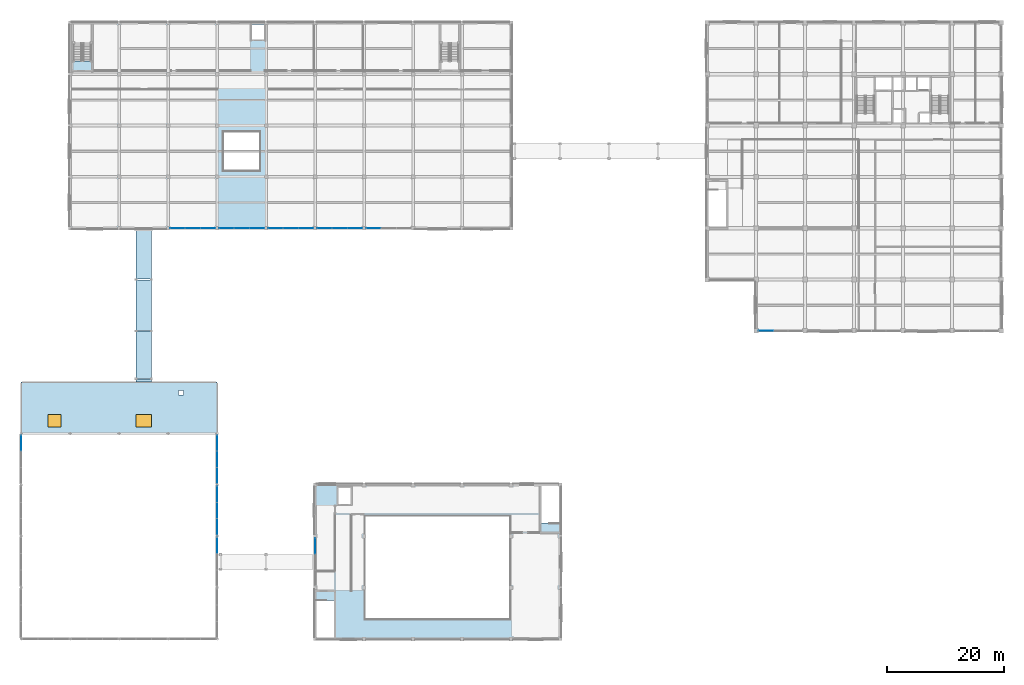
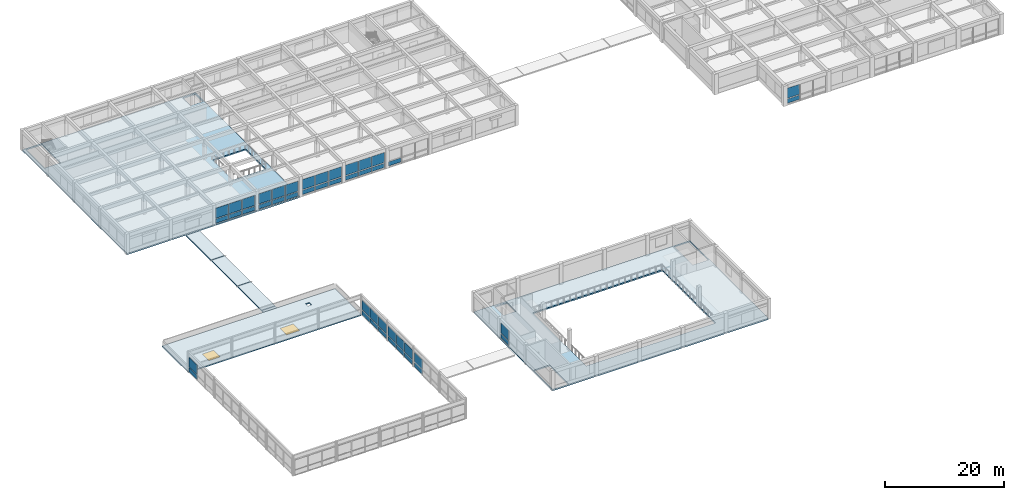
# One storey, part 26 of 46: 45 plates, 7 slabs, 2 windows, 2 openings, 11 elements without a shape of their own.
"""IFC4 building model written with IfcOpenShell, lengths in metres."""

from ifc_helpers import new_model, si_unit, direction, frame, origin, origin_2d, place, context, subcontext, project, spatial, polyline, rectangle, outline, extrude, material, layer, layer_set, type_object, element, fill, aggregate, save


model = new_model("IFC4")

# Units and contexts
model_context = context("Model", 3, precision=1e-05, world=origin(), true_north=direction((0.0, 1.0)))
body_context = subcontext(model_context, "Body", "Model", "MODEL_VIEW")
ifc_project = project(units=[si_unit("LENGTHUNIT", "METRE"), si_unit("AREAUNIT", "SQUARE_METRE"), si_unit("VOLUMEUNIT", "CUBIC_METRE"), si_unit("PLANEANGLEUNIT", "RADIAN"), si_unit("MASSUNIT", "GRAM", prefix="KILO")], contexts=[model_context])

# Site, building, storey
site_placement = place(None, origin())
site = spatial("IfcSite", under=ifc_project, at=site_placement, CompositionType="ELEMENT")
building_placement = place(site_placement, origin())
building = spatial("IfcBuilding", under=site, at=building_placement, Name="Kemercrest Conservatory and Botanical Centre", CompositionType="ELEMENT")
storey_placement = place(building_placement, frame((0.0, 0.0, 9.0)))
storey = spatial("IfcBuildingStorey", under=building, at=storey_placement, Name="L02", CompositionType="ELEMENT", Elevation=9.0)

# Curtain wall, plates
ifc_material_1 = material(Name="Thermally broken aluminium and triple low-e glazing", Category="aluminium")
curtain_wall_type_1 = type_object("IfcCurtainWallType", Name="CW-30", PredefinedType="USERDEFINED", material=ifc_material_1)
curtain_wall_1_placement = place(storey_placement, origin())
curtain_wall_1 = element("IfcCurtainWall", 1, at=curtain_wall_1_placement, inside=storey, type_object=curtain_wall_type_1, Name="Unitised curtain wall CW-30 (CW:L02:V2-029)", ObjectType="UNITISED CURTAIN WALL", PredefinedType="USERDEFINED")
ifc_material_2 = material(Name="Triple low-e argon insulated glazing unit", Category="glass")
ifc_layer_1 = layer(ifc_material_2, 0.035888671875)
ifc_layer_set_1 = layer_set([ifc_layer_1], Name="Triple low-e argon insulated glazing unit")
plate_type_1 = type_object("IfcPlateType", Name="CW-PNL036", PredefinedType="CURTAIN_PANEL", material=ifc_layer_set_1)
plate_1_placement = place(storey_placement, frame((58.39990234375, 32.720458984375, 0.179931640625), z_axis=(0.0, 0.0, 1.0), x_axis=(0.0, -1.0, 0.0)))
plate_1 = element("IfcPlate", 2, at=plate_1_placement, type_object=plate_type_1, Name="CW-30 panel 1.1", PredefinedType="CURTAIN_PANEL", context=body_context, shape_type="SweptSolid", body=[
    extrude(rectangle(XDim=2.63916015625, YDim=0.035888671875, at=origin_2d()), origin(), (0.0, 0.0, 1.0), 0.85009765625),
])
plate_2_placement = place(storey_placement, frame((58.39990234375, 32.720458984375, 1.2099609375), z_axis=(0.0, 0.0, 1.0), x_axis=(0.0, -1.0, 0.0)))
plate_2 = element("IfcPlate", 3, at=plate_2_placement, type_object=plate_type_1, Name="CW-30 panel 1.2", PredefinedType="CURTAIN_PANEL", context=body_context, shape_type="SweptSolid", body=[
    extrude(rectangle(XDim=2.63916015625, YDim=0.035888671875, at=origin_2d()), origin(), (0.0, 0.0, 1.0), 2.06494140625),
])
aggregate(curtain_wall_1, [plate_1, plate_2])

curtain_wall_type_2 = type_object("IfcCurtainWallType", Name="CW-08", PredefinedType="USERDEFINED", material=ifc_material_1)
curtain_wall_2_placement = place(storey_placement, origin())
curtain_wall_2 = element("IfcCurtainWall", 4, at=curtain_wall_2_placement, inside=storey, type_object=curtain_wall_type_2, Name="Unitised curtain wall CW-08 (CW:L02:V3-037)", ObjectType="UNITISED CURTAIN WALL", PredefinedType="USERDEFINED")
plate_3_placement = place(storey_placement, frame((34.81298828125, 87.199951171875, 0.179931640625), z_axis=(0.0, 0.0, 1.0), x_axis=(1.0, 0.0, 0.0)))
plate_3 = element("IfcPlate", 5, at=plate_3_placement, type_object=plate_type_1, Name="CW-08 panel 1.1", PredefinedType="CURTAIN_PANEL", context=body_context, shape_type="SweptSolid", body=[
    extrude(rectangle(XDim=2.505859375, YDim=0.035888671875, at=origin_2d()), origin(), (0.0, 0.0, 1.0), 0.85009765625),
])
plate_4_placement = place(storey_placement, frame((34.81298828125, 87.199951171875, 1.2099609375), z_axis=(0.0, 0.0, 1.0), x_axis=(1.0, 0.0, 0.0)))
plate_4 = element("IfcPlate", 6, at=plate_4_placement, type_object=plate_type_1, Name="CW-08 panel 1.2", PredefinedType="CURTAIN_PANEL", context=body_context, shape_type="SweptSolid", body=[
    extrude(rectangle(XDim=2.505859375, YDim=0.035888671875, at=origin_2d()), origin(), (0.0, 0.0, 1.0), 2.06494140625),
])
plate_5_placement = place(storey_placement, frame((37.39990234375, 87.199951171875, 0.179931640625), z_axis=(0.0, 0.0, 1.0), x_axis=(1.0, 0.0, 0.0)))
plate_5 = element("IfcPlate", 7, at=plate_5_placement, type_object=plate_type_1, Name="CW-08 panel 2.1", PredefinedType="CURTAIN_PANEL", context=body_context, shape_type="SweptSolid", body=[
    extrude(rectangle(XDim=2.538330078125, YDim=0.035888671875, at=origin_2d()), origin(), (0.0, 0.0, 1.0), 0.85009765625),
])
plate_6_placement = place(storey_placement, frame((37.39990234375, 87.199951171875, 1.2099609375), z_axis=(0.0, 0.0, 1.0), x_axis=(1.0, 0.0, 0.0)))
plate_6 = element("IfcPlate", 8, at=plate_6_placement, type_object=plate_type_1, Name="CW-08 panel 2.2", PredefinedType="CURTAIN_PANEL", context=body_context, shape_type="SweptSolid", body=[
    extrude(rectangle(XDim=2.538330078125, YDim=0.035888671875, at=origin_2d()), origin(), (0.0, 0.0, 1.0), 2.06494140625),
])
plate_7_placement = place(storey_placement, frame((39.987060546875, 87.199951171875, 0.179931640625), z_axis=(0.0, 0.0, 1.0), x_axis=(1.0, 0.0, 0.0)))
plate_7 = element("IfcPlate", 9, at=plate_7_placement, type_object=plate_type_1, Name="CW-08 panel 3.1", PredefinedType="CURTAIN_PANEL", context=body_context, shape_type="SweptSolid", body=[
    extrude(rectangle(XDim=2.505859375, YDim=0.035888671875, at=origin_2d()), origin(), (0.0, 0.0, 1.0), 0.85009765625),
])
plate_8_placement = place(storey_placement, frame((39.987060546875, 87.199951171875, 1.2099609375), z_axis=(0.0, 0.0, 1.0), x_axis=(1.0, 0.0, 0.0)))
plate_8 = element("IfcPlate", 10, at=plate_8_placement, type_object=plate_type_1, Name="CW-08 panel 3.2", PredefinedType="CURTAIN_PANEL", context=body_context, shape_type="SweptSolid", body=[
    extrude(rectangle(XDim=2.505859375, YDim=0.035888671875, at=origin_2d()), origin(), (0.0, 0.0, 1.0), 2.06494140625),
])
aggregate(curtain_wall_2, [plate_3, plate_4, plate_5, plate_6, plate_7, plate_8])

curtain_wall_type_3 = type_object("IfcCurtainWallType", Name="CW-09", PredefinedType="USERDEFINED", material=ifc_material_1)
curtain_wall_3_placement = place(storey_placement, origin())
curtain_wall_3 = element("IfcCurtainWall", 11, at=curtain_wall_3_placement, inside=storey, type_object=curtain_wall_type_3, Name="Unitised curtain wall CW-09 (CW:L02:V3-038)", ObjectType="UNITISED CURTAIN WALL", PredefinedType="USERDEFINED")
plate_9_placement = place(storey_placement, frame((43.212890625, 87.199951171875, 0.179931640625), z_axis=(0.0, 0.0, 1.0), x_axis=(1.0, 0.0, 0.0)))
plate_9 = element("IfcPlate", 12, at=plate_9_placement, type_object=plate_type_1, Name="CW-09 panel 1.1", PredefinedType="CURTAIN_PANEL", context=body_context, shape_type="SweptSolid", body=[
    extrude(rectangle(XDim=2.505859375, YDim=0.035888671875, at=origin_2d()), origin(), (0.0, 0.0, 1.0), 0.85009765625),
])
plate_10_placement = place(storey_placement, frame((43.212890625, 87.199951171875, 1.2099609375), z_axis=(0.0, 0.0, 1.0), x_axis=(1.0, 0.0, 0.0)))
plate_10 = element("IfcPlate", 13, at=plate_10_placement, type_object=plate_type_1, Name="CW-09 panel 1.2", PredefinedType="CURTAIN_PANEL", context=body_context, shape_type="SweptSolid", body=[
    extrude(rectangle(XDim=2.505859375, YDim=0.035888671875, at=origin_2d()), origin(), (0.0, 0.0, 1.0), 2.06494140625),
])
plate_11_placement = place(storey_placement, frame((45.800048828125, 87.199951171875, 0.179931640625), z_axis=(0.0, 0.0, 1.0), x_axis=(1.0, 0.0, 0.0)))
plate_11 = element("IfcPlate", 14, at=plate_11_placement, type_object=plate_type_1, Name="CW-09 panel 2.1", PredefinedType="CURTAIN_PANEL", context=body_context, shape_type="SweptSolid", body=[
    extrude(rectangle(XDim=2.538330078125, YDim=0.035888671875, at=origin_2d()), origin(), (0.0, 0.0, 1.0), 0.85009765625),
])
plate_12_placement = place(storey_placement, frame((45.800048828125, 87.199951171875, 1.2099609375), z_axis=(0.0, 0.0, 1.0), x_axis=(1.0, 0.0, 0.0)))
plate_12 = element("IfcPlate", 15, at=plate_12_placement, type_object=plate_type_1, Name="CW-09 panel 2.2", PredefinedType="CURTAIN_PANEL", context=body_context, shape_type="SweptSolid", body=[
    extrude(rectangle(XDim=2.538330078125, YDim=0.035888671875, at=origin_2d()), origin(), (0.0, 0.0, 1.0), 2.06494140625),
])
plate_13_placement = place(storey_placement, frame((48.386962890625, 87.199951171875, 0.179931640625), z_axis=(0.0, 0.0, 1.0), x_axis=(1.0, 0.0, 0.0)))
plate_13 = element("IfcPlate", 16, at=plate_13_placement, type_object=plate_type_1, Name="CW-09 panel 3.1", PredefinedType="CURTAIN_PANEL", context=body_context, shape_type="SweptSolid", body=[
    extrude(rectangle(XDim=2.505859375, YDim=0.035888671875, at=origin_2d()), origin(), (0.0, 0.0, 1.0), 0.85009765625),
])
plate_14_placement = place(storey_placement, frame((48.386962890625, 87.199951171875, 1.2099609375), z_axis=(0.0, 0.0, 1.0), x_axis=(1.0, 0.0, 0.0)))
plate_14 = element("IfcPlate", 17, at=plate_14_placement, type_object=plate_type_1, Name="CW-09 panel 3.2", PredefinedType="CURTAIN_PANEL", context=body_context, shape_type="SweptSolid", body=[
    extrude(rectangle(XDim=2.505859375, YDim=0.035888671875, at=origin_2d()), origin(), (0.0, 0.0, 1.0), 2.06494140625),
])
aggregate(curtain_wall_3, [plate_9, plate_10, plate_11, plate_12, plate_13, plate_14])

curtain_wall_type_4 = type_object("IfcCurtainWallType", Name="CW-10", PredefinedType="USERDEFINED", material=ifc_material_1)
curtain_wall_4_placement = place(storey_placement, origin())
curtain_wall_4 = element("IfcCurtainWall", 18, at=curtain_wall_4_placement, inside=storey, type_object=curtain_wall_type_4, Name="Unitised curtain wall CW-10 (CW:L02:V3-039)", ObjectType="UNITISED CURTAIN WALL", PredefinedType="USERDEFINED")
plate_15_placement = place(storey_placement, frame((51.613037109375, 87.199951171875, 0.179931640625), z_axis=(0.0, 0.0, 1.0), x_axis=(1.0, 0.0, 0.0)))
plate_15 = element("IfcPlate", 19, at=plate_15_placement, type_object=plate_type_1, Name="CW-10 panel 1.1", PredefinedType="CURTAIN_PANEL", context=body_context, shape_type="SweptSolid", body=[
    extrude(rectangle(XDim=2.505859375, YDim=0.035888671875, at=origin_2d()), origin(), (0.0, 0.0, 1.0), 0.85009765625),
])
plate_16_placement = place(storey_placement, frame((51.613037109375, 87.199951171875, 1.2099609375), z_axis=(0.0, 0.0, 1.0), x_axis=(1.0, 0.0, 0.0)))
plate_16 = element("IfcPlate", 20, at=plate_16_placement, type_object=plate_type_1, Name="CW-10 panel 1.2", PredefinedType="CURTAIN_PANEL", context=body_context, shape_type="SweptSolid", body=[
    extrude(rectangle(XDim=2.505859375, YDim=0.035888671875, at=origin_2d()), origin(), (0.0, 0.0, 1.0), 2.06494140625),
])
plate_17_placement = place(storey_placement, frame((54.199951171875, 87.199951171875, 0.179931640625), z_axis=(0.0, 0.0, 1.0), x_axis=(1.0, 0.0, 0.0)))
plate_17 = element("IfcPlate", 21, at=plate_17_placement, type_object=plate_type_1, Name="CW-10 panel 2.1", PredefinedType="CURTAIN_PANEL", context=body_context, shape_type="SweptSolid", body=[
    extrude(rectangle(XDim=2.538330078125, YDim=0.035888671875, at=origin_2d()), origin(), (0.0, 0.0, 1.0), 0.85009765625),
])
plate_18_placement = place(storey_placement, frame((54.199951171875, 87.199951171875, 1.2099609375), z_axis=(0.0, 0.0, 1.0), x_axis=(1.0, 0.0, 0.0)))
plate_18 = element("IfcPlate", 22, at=plate_18_placement, type_object=plate_type_1, Name="CW-10 panel 2.2", PredefinedType="CURTAIN_PANEL", context=body_context, shape_type="SweptSolid", body=[
    extrude(rectangle(XDim=2.538330078125, YDim=0.035888671875, at=origin_2d()), origin(), (0.0, 0.0, 1.0), 2.06494140625),
])
plate_19_placement = place(storey_placement, frame((56.787109375, 87.199951171875, 0.179931640625), z_axis=(0.0, 0.0, 1.0), x_axis=(1.0, 0.0, 0.0)))
plate_19 = element("IfcPlate", 23, at=plate_19_placement, type_object=plate_type_1, Name="CW-10 panel 3.1", PredefinedType="CURTAIN_PANEL", context=body_context, shape_type="SweptSolid", body=[
    extrude(rectangle(XDim=2.505859375, YDim=0.035888671875, at=origin_2d()), origin(), (0.0, 0.0, 1.0), 0.85009765625),
])
plate_20_placement = place(storey_placement, frame((56.787109375, 87.199951171875, 1.2099609375), z_axis=(0.0, 0.0, 1.0), x_axis=(1.0, 0.0, 0.0)))
plate_20 = element("IfcPlate", 24, at=plate_20_placement, type_object=plate_type_1, Name="CW-10 panel 3.2", PredefinedType="CURTAIN_PANEL", context=body_context, shape_type="SweptSolid", body=[
    extrude(rectangle(XDim=2.505859375, YDim=0.035888671875, at=origin_2d()), origin(), (0.0, 0.0, 1.0), 2.06494140625),
])
aggregate(curtain_wall_4, [plate_15, plate_16, plate_17, plate_18, plate_19, plate_20])

curtain_wall_type_5 = type_object("IfcCurtainWallType", Name="CW-11", PredefinedType="USERDEFINED", material=ifc_material_1)
curtain_wall_5_placement = place(storey_placement, origin())
curtain_wall_5 = element("IfcCurtainWall", 25, at=curtain_wall_5_placement, inside=storey, type_object=curtain_wall_type_5, Name="Unitised curtain wall CW-11 (CW:L02:V3-040)", ObjectType="UNITISED CURTAIN WALL", PredefinedType="USERDEFINED")
plate_21_placement = place(storey_placement, frame((60.012939453125, 87.199951171875, 0.179931640625), z_axis=(0.0, 0.0, 1.0), x_axis=(1.0, 0.0, 0.0)))
plate_21 = element("IfcPlate", 26, at=plate_21_placement, type_object=plate_type_1, Name="CW-11 panel 1.1", PredefinedType="CURTAIN_PANEL", context=body_context, shape_type="SweptSolid", body=[
    extrude(rectangle(XDim=2.505859375, YDim=0.035888671875, at=origin_2d()), origin(), (0.0, 0.0, 1.0), 0.85009765625),
])
plate_22_placement = place(storey_placement, frame((60.012939453125, 87.199951171875, 1.2099609375), z_axis=(0.0, 0.0, 1.0), x_axis=(1.0, 0.0, 0.0)))
plate_22 = element("IfcPlate", 27, at=plate_22_placement, type_object=plate_type_1, Name="CW-11 panel 1.2", PredefinedType="CURTAIN_PANEL", context=body_context, shape_type="SweptSolid", body=[
    extrude(rectangle(XDim=2.505859375, YDim=0.035888671875, at=origin_2d()), origin(), (0.0, 0.0, 1.0), 2.06494140625),
])
plate_23_placement = place(storey_placement, frame((62.60009765625, 87.199951171875, 0.179931640625), z_axis=(0.0, 0.0, 1.0), x_axis=(1.0, 0.0, 0.0)))
plate_23 = element("IfcPlate", 28, at=plate_23_placement, type_object=plate_type_1, Name="CW-11 panel 2.1", PredefinedType="CURTAIN_PANEL", context=body_context, shape_type="SweptSolid", body=[
    extrude(rectangle(XDim=2.538330078125, YDim=0.035888671875, at=origin_2d()), origin(), (0.0, 0.0, 1.0), 0.85009765625),
])
plate_24_placement = place(storey_placement, frame((62.60009765625, 87.199951171875, 1.2099609375), z_axis=(0.0, 0.0, 1.0), x_axis=(1.0, 0.0, 0.0)))
plate_24 = element("IfcPlate", 29, at=plate_24_placement, type_object=plate_type_1, Name="CW-11 panel 2.2", PredefinedType="CURTAIN_PANEL", context=body_context, shape_type="SweptSolid", body=[
    extrude(rectangle(XDim=2.538330078125, YDim=0.035888671875, at=origin_2d()), origin(), (0.0, 0.0, 1.0), 2.06494140625),
])
plate_25_placement = place(storey_placement, frame((65.18701171875, 87.199951171875, 0.179931640625), z_axis=(0.0, 0.0, 1.0), x_axis=(1.0, 0.0, 0.0)))
plate_25 = element("IfcPlate", 30, at=plate_25_placement, type_object=plate_type_1, Name="CW-11 panel 3.1", PredefinedType="CURTAIN_PANEL", context=body_context, shape_type="SweptSolid", body=[
    extrude(rectangle(XDim=2.505859375, YDim=0.035888671875, at=origin_2d()), origin(), (0.0, 0.0, 1.0), 0.85009765625),
])
plate_26_placement = place(storey_placement, frame((65.18701171875, 87.199951171875, 1.2099609375), z_axis=(0.0, 0.0, 1.0), x_axis=(1.0, 0.0, 0.0)))
plate_26 = element("IfcPlate", 31, at=plate_26_placement, type_object=plate_type_1, Name="CW-11 panel 3.2", PredefinedType="CURTAIN_PANEL", context=body_context, shape_type="SweptSolid", body=[
    extrude(rectangle(XDim=2.505859375, YDim=0.035888671875, at=origin_2d()), origin(), (0.0, 0.0, 1.0), 2.06494140625),
])
aggregate(curtain_wall_5, [plate_21, plate_22, plate_23, plate_24, plate_25, plate_26])

# Curtain wall, plate
curtain_wall_type_6 = type_object("IfcCurtainWallType", Name="CW-12", PredefinedType="USERDEFINED", material=ifc_material_1)
curtain_wall_6_placement = place(storey_placement, origin())
curtain_wall_6 = element("IfcCurtainWall", 32, at=curtain_wall_6_placement, inside=storey, type_object=curtain_wall_type_6, Name="Unitised curtain wall CW-12 (CW:L02:V3-041)", ObjectType="UNITISED CURTAIN WALL", PredefinedType="USERDEFINED")
plate_27_placement = place(storey_placement, frame((68.412841796875, 87.199951171875, 0.179931640625), z_axis=(0.0, 0.0, 1.0), x_axis=(1.0, 0.0, 0.0)))
plate_27 = element("IfcPlate", 33, at=plate_27_placement, type_object=plate_type_1, Name="CW-12 panel 1.1", PredefinedType="CURTAIN_PANEL", context=body_context, shape_type="SweptSolid", body=[
    extrude(rectangle(XDim=2.505859375, YDim=0.035888671875, at=origin_2d()), origin(), (0.0, 0.0, 1.0), 0.85009765625),
])
aggregate(curtain_wall_6, [plate_27])

# Curtain wall, plates
curtain_wall_type_7 = type_object("IfcCurtainWallType", Name="CW-26", PredefinedType="USERDEFINED", material=ifc_material_1)
curtain_wall_7_placement = place(storey_placement, origin())
curtain_wall_7 = element("IfcCurtainWall", 34, at=curtain_wall_7_placement, inside=storey, type_object=curtain_wall_type_7, Name="Unitised curtain wall CW-26 (CW:L02:V4-055)", ObjectType="UNITISED CURTAIN WALL", PredefinedType="USERDEFINED")
plate_28_placement = place(storey_placement, frame((135.6796875, 69.60009765625, 0.179931640625), z_axis=(0.0, 0.0, 1.0), x_axis=(1.0, 0.0, 0.0)))
plate_28 = element("IfcPlate", 35, at=plate_28_placement, type_object=plate_type_1, Name="CW-26 panel 1.1", PredefinedType="CURTAIN_PANEL", context=body_context, shape_type="SweptSolid", body=[
    extrude(rectangle(XDim=2.439208984375, YDim=0.035888671875, at=origin_2d()), origin(), (0.0, 0.0, 1.0), 0.85009765625),
])
plate_29_placement = place(storey_placement, frame((135.6796875, 69.60009765625, 1.2099609375), z_axis=(0.0, 0.0, 1.0), x_axis=(1.0, 0.0, 0.0)))
plate_29 = element("IfcPlate", 36, at=plate_29_placement, type_object=plate_type_1, Name="CW-26 panel 1.2", PredefinedType="CURTAIN_PANEL", context=body_context, shape_type="SweptSolid", body=[
    extrude(rectangle(XDim=2.439208984375, YDim=0.035888671875, at=origin_2d()), origin(), (0.0, 0.0, 1.0), 2.06494140625),
])
aggregate(curtain_wall_7, [plate_28, plate_29])

curtain_wall_type_8 = type_object("IfcCurtainWallType", Name="CW-23", PredefinedType="USERDEFINED", material=ifc_material_1)
curtain_wall_8_placement = place(storey_placement, origin())
curtain_wall_8 = element("IfcCurtainWall", 37, at=curtain_wall_8_placement, inside=storey, type_object=curtain_wall_type_8, Name="Unitised curtain wall CW-23 (CW:L02:V1-022)", ObjectType="UNITISED CURTAIN WALL", PredefinedType="USERDEFINED")
ifc_material_3 = material(Name="Laminated solar-control conservatory glazing unit", Category="glass")
ifc_layer_2 = layer(ifc_material_3, 0.0419921875)
ifc_layer_set_2 = layer_set([ifc_layer_2], Name="Laminated solar-control conservatory glazing unit")
plate_type_2 = type_object("IfcPlateType", Name="CW-PNL042", PredefinedType="CURTAIN_PANEL", material=ifc_layer_set_2)
plate_30_placement = place(storey_placement, frame((41.60009765625, 32.78125, 0.14990234375), z_axis=(0.0, 0.0, 1.0), x_axis=(0.0, 1.0, 0.0)))
plate_30 = element("IfcPlate", 38, at=plate_30_placement, type_object=plate_type_2, Name="CW-23 panel 3.1", PredefinedType="CURTAIN_PANEL", context=body_context, shape_type="SweptSolid", body=[
    extrude(rectangle(XDim=2.6875, YDim=0.0419921875, at=origin_2d()), origin(), (0.0, 0.0, 1.0), 0.89501953125),
])
plate_31_placement = place(storey_placement, frame((41.60009765625, 32.78125, 1.195068359375), z_axis=(0.0, 0.0, 1.0), x_axis=(0.0, 1.0, 0.0)))
plate_31 = element("IfcPlate", 39, at=plate_31_placement, type_object=plate_type_2, Name="CW-23 panel 3.2", PredefinedType="CURTAIN_PANEL", context=body_context, shape_type="SweptSolid", body=[
    extrude(rectangle(XDim=2.6875, YDim=0.0419921875, at=origin_2d()), origin(), (0.0, 0.0, 1.0), 1.93310546875),
])
aggregate(curtain_wall_8, [plate_30, plate_31])

curtain_wall_type_9 = type_object("IfcCurtainWallType", Name="CW-24", PredefinedType="USERDEFINED", material=ifc_material_1)
curtain_wall_9_placement = place(storey_placement, origin())
curtain_wall_9 = element("IfcCurtainWall", 40, at=curtain_wall_9_placement, inside=storey, type_object=curtain_wall_type_9, Name="Unitised curtain wall CW-24 (CW:L02:V1-023)", ObjectType="UNITISED CURTAIN WALL", PredefinedType="USERDEFINED")
plate_32_placement = place(storey_placement, frame((41.60009765625, 36.018798828125, 0.14990234375), z_axis=(0.0, 0.0, 1.0), x_axis=(0.0, 1.0, 0.0)))
plate_32 = element("IfcPlate", 41, at=plate_32_placement, type_object=plate_type_2, Name="CW-24 panel 1.1", PredefinedType="CURTAIN_PANEL", context=body_context, shape_type="SweptSolid", body=[
    extrude(rectangle(XDim=2.6875, YDim=0.0419921875, at=origin_2d()), origin(), (0.0, 0.0, 1.0), 0.89501953125),
])
plate_33_placement = place(storey_placement, frame((41.60009765625, 36.018798828125, 1.195068359375), z_axis=(0.0, 0.0, 1.0), x_axis=(0.0, 1.0, 0.0)))
plate_33 = element("IfcPlate", 42, at=plate_33_placement, type_object=plate_type_2, Name="CW-24 panel 1.2", PredefinedType="CURTAIN_PANEL", context=body_context, shape_type="SweptSolid", body=[
    extrude(rectangle(XDim=2.6875, YDim=0.0419921875, at=origin_2d()), origin(), (0.0, 0.0, 1.0), 1.93310546875),
])
plate_34_placement = place(storey_placement, frame((41.60009765625, 38.800048828125, 0.14990234375), z_axis=(0.0, 0.0, 1.0), x_axis=(0.0, 1.0, 0.0)))
plate_34 = element("IfcPlate", 43, at=plate_34_placement, type_object=plate_type_2, Name="CW-24 panel 2.1", PredefinedType="CURTAIN_PANEL", context=body_context, shape_type="SweptSolid", body=[
    extrude(rectangle(XDim=2.72509765625, YDim=0.0419921875, at=origin_2d()), origin(), (0.0, 0.0, 1.0), 0.89501953125),
])
plate_35_placement = place(storey_placement, frame((41.60009765625, 38.800048828125, 1.195068359375), z_axis=(0.0, 0.0, 1.0), x_axis=(0.0, 1.0, 0.0)))
plate_35 = element("IfcPlate", 44, at=plate_35_placement, type_object=plate_type_2, Name="CW-24 panel 2.2", PredefinedType="CURTAIN_PANEL", context=body_context, shape_type="SweptSolid", body=[
    extrude(rectangle(XDim=2.72509765625, YDim=0.0419921875, at=origin_2d()), origin(), (0.0, 0.0, 1.0), 1.93310546875),
])
plate_36_placement = place(storey_placement, frame((41.60009765625, 41.581298828125, 0.14990234375), z_axis=(0.0, 0.0, 1.0), x_axis=(0.0, 1.0, 0.0)))
plate_36 = element("IfcPlate", 45, at=plate_36_placement, type_object=plate_type_2, Name="CW-24 panel 3.1", PredefinedType="CURTAIN_PANEL", context=body_context, shape_type="SweptSolid", body=[
    extrude(rectangle(XDim=2.6875, YDim=0.0419921875, at=origin_2d()), origin(), (0.0, 0.0, 1.0), 0.89501953125),
])
plate_37_placement = place(storey_placement, frame((41.60009765625, 41.581298828125, 1.195068359375), z_axis=(0.0, 0.0, 1.0), x_axis=(0.0, 1.0, 0.0)))
plate_37 = element("IfcPlate", 46, at=plate_37_placement, type_object=plate_type_2, Name="CW-24 panel 3.2", PredefinedType="CURTAIN_PANEL", context=body_context, shape_type="SweptSolid", body=[
    extrude(rectangle(XDim=2.6875, YDim=0.0419921875, at=origin_2d()), origin(), (0.0, 0.0, 1.0), 1.93310546875),
])
aggregate(curtain_wall_9, [plate_32, plate_33, plate_34, plate_35, plate_36, plate_37])

curtain_wall_type_10 = type_object("IfcCurtainWallType", Name="CW-25", PredefinedType="USERDEFINED", material=ifc_material_1)
curtain_wall_10_placement = place(storey_placement, origin())
curtain_wall_10 = element("IfcCurtainWall", 47, at=curtain_wall_10_placement, inside=storey, type_object=curtain_wall_type_10, Name="Unitised curtain wall CW-25 (CW:L02:V1-024)", ObjectType="UNITISED CURTAIN WALL", PredefinedType="USERDEFINED")
plate_38_placement = place(storey_placement, frame((41.60009765625, 44.81884765625, 0.14990234375), z_axis=(0.0, 0.0, 1.0), x_axis=(0.0, 1.0, 0.0)))
plate_38 = element("IfcPlate", 48, at=plate_38_placement, type_object=plate_type_2, Name="CW-25 panel 1.1", PredefinedType="CURTAIN_PANEL", context=body_context, shape_type="SweptSolid", body=[
    extrude(rectangle(XDim=2.6875, YDim=0.0419921875, at=origin_2d()), origin(), (0.0, 0.0, 1.0), 0.89501953125),
])
plate_39_placement = place(storey_placement, frame((41.60009765625, 44.81884765625, 1.195068359375), z_axis=(0.0, 0.0, 1.0), x_axis=(0.0, 1.0, 0.0)))
plate_39 = element("IfcPlate", 49, at=plate_39_placement, type_object=plate_type_2, Name="CW-25 panel 1.2", PredefinedType="CURTAIN_PANEL", context=body_context, shape_type="SweptSolid", body=[
    extrude(rectangle(XDim=2.6875, YDim=0.0419921875, at=origin_2d()), origin(), (0.0, 0.0, 1.0), 1.93310546875),
])
plate_40_placement = place(storey_placement, frame((41.60009765625, 47.60009765625, 0.14990234375), z_axis=(0.0, 0.0, 1.0), x_axis=(0.0, 1.0, 0.0)))
plate_40 = element("IfcPlate", 50, at=plate_40_placement, type_object=plate_type_2, Name="CW-25 panel 2.1", PredefinedType="CURTAIN_PANEL", context=body_context, shape_type="SweptSolid", body=[
    extrude(rectangle(XDim=2.72509765625, YDim=0.0419921875, at=origin_2d()), origin(), (0.0, 0.0, 1.0), 0.89501953125),
])
plate_41_placement = place(storey_placement, frame((41.60009765625, 47.60009765625, 1.195068359375), z_axis=(0.0, 0.0, 1.0), x_axis=(0.0, 1.0, 0.0)))
plate_41 = element("IfcPlate", 51, at=plate_41_placement, type_object=plate_type_2, Name="CW-25 panel 2.2", PredefinedType="CURTAIN_PANEL", context=body_context, shape_type="SweptSolid", body=[
    extrude(rectangle(XDim=2.72509765625, YDim=0.0419921875, at=origin_2d()), origin(), (0.0, 0.0, 1.0), 1.93310546875),
])
plate_42_placement = place(storey_placement, frame((41.60009765625, 50.38134765625, 0.14990234375), z_axis=(0.0, 0.0, 1.0), x_axis=(0.0, 1.0, 0.0)))
plate_42 = element("IfcPlate", 52, at=plate_42_placement, type_object=plate_type_2, Name="CW-25 panel 3.1", PredefinedType="CURTAIN_PANEL", context=body_context, shape_type="SweptSolid", body=[
    extrude(rectangle(XDim=2.6875, YDim=0.0419921875, at=origin_2d()), origin(), (0.0, 0.0, 1.0), 0.89501953125),
])
plate_43_placement = place(storey_placement, frame((41.60009765625, 50.38134765625, 1.195068359375), z_axis=(0.0, 0.0, 1.0), x_axis=(0.0, 1.0, 0.0)))
plate_43 = element("IfcPlate", 53, at=plate_43_placement, type_object=plate_type_2, Name="CW-25 panel 3.2", PredefinedType="CURTAIN_PANEL", context=body_context, shape_type="SweptSolid", body=[
    extrude(rectangle(XDim=2.6875, YDim=0.0419921875, at=origin_2d()), origin(), (0.0, 0.0, 1.0), 1.93310546875),
])
aggregate(curtain_wall_10, [plate_38, plate_39, plate_40, plate_41, plate_42, plate_43])

curtain_wall_11_placement = place(storey_placement, origin())
curtain_wall_11 = element("IfcCurtainWall", 54, at=curtain_wall_11_placement, inside=storey, type_object=curtain_wall_type_7, Name="Unitised curtain wall CW-26 (CW:L02:V1-025)", ObjectType="UNITISED CURTAIN WALL", PredefinedType="USERDEFINED")
plate_44_placement = place(storey_placement, frame((8.0, 50.38134765625, 0.14990234375), z_axis=(0.0, 0.0, 1.0), x_axis=(0.0, -1.0, 0.0)))
plate_44 = element("IfcPlate", 55, at=plate_44_placement, type_object=plate_type_2, Name="CW-26 panel 1.1", PredefinedType="CURTAIN_PANEL", context=body_context, shape_type="SweptSolid", body=[
    extrude(rectangle(XDim=2.6875, YDim=0.0419921875, at=origin_2d()), origin(), (0.0, 0.0, 1.0), 0.89501953125),
])
plate_45_placement = place(storey_placement, frame((8.0, 50.38134765625, 1.195068359375), z_axis=(0.0, 0.0, 1.0), x_axis=(0.0, -1.0, 0.0)))
plate_45 = element("IfcPlate", 56, at=plate_45_placement, type_object=plate_type_2, Name="CW-26 panel 1.2", PredefinedType="CURTAIN_PANEL", context=body_context, shape_type="SweptSolid", body=[
    extrude(rectangle(XDim=2.6875, YDim=0.0419921875, at=origin_2d()), origin(), (0.0, 0.0, 1.0), 1.93310546875),
])
aggregate(curtain_wall_11, [plate_44, plate_45])

# Slabs
ifc_material_4 = material(Name="Concrete C40/50", Category="concrete")
ifc_layer_3 = layer(ifc_material_4, 0.280029296875)
ifc_layer_set_3 = layer_set([ifc_layer_3], Name="Concrete C40/50")
slab_type_1 = type_object("IfcSlabType", Name="SL-FL280", PredefinedType="FLOOR", material=ifc_layer_set_3)
slab_1_placement = place(storey_placement, frame((0.0, 0.0, -0.280029296875)))
element("IfcSlab", 57, at=slab_1_placement, inside=storey, type_object=slab_type_1, Name="V2 Auditorium L02 Upper Foyer and Acoustic Gallery Slab", PredefinedType="FLOOR", context=body_context, shape_type="SweptSolid", body=[
    extrude(outline(polyline([(58.39990234375, 43.199951171875), (58.39990234375, 16.800048828125), (100.39990234375, 16.800048828125), (100.39990234375, 43.199951171875), (58.39990234375, 43.199951171875)]), holes=[polyline([(100.239990234375, 43.06005859375), (100.239990234375, 36.6650390625), (97.159912109375, 36.6650390625), (97.159912109375, 43.06005859375), (100.239990234375, 43.06005859375)]), polyline([(92.0, 20.0), (66.800048828125, 20.0), (66.800048828125, 38.0), (92.0, 38.0), (92.0, 20.0)]), polyline([(64.60009765625, 39.800048828125), (62.199951171875, 39.800048828125), (62.199951171875, 42.800048828125), (64.60009765625, 42.800048828125), (64.60009765625, 39.800048828125)]), polyline([(58.56005859375, 16.93994140625), (58.56005859375, 23.3349609375), (61.639892578125, 23.3349609375), (61.639892578125, 16.93994140625), (58.56005859375, 16.93994140625)])]), origin(), (0.0, 0.0, 1.0), 0.280029296875),
])
slab_2_placement = place(storey_placement, frame((0.0, 0.0, -0.280029296875)))
element("IfcSlab", 58, at=slab_2_placement, inside=storey, type_object=slab_type_1, Name="V3 Visitor and Education Centre L02 W Floor Slab", PredefinedType="FLOOR", context=body_context, shape_type="SweptSolid", body=[
    extrude(outline(polyline([(16.39990234375, 122.39990234375), (16.39990234375, 87.199951171875), (50.0, 87.199951171875), (50.0, 122.39990234375), (16.39990234375, 122.39990234375)]), holes=[polyline([(49.800048828125, 119.39990234375), (47.39990234375, 119.39990234375), (47.39990234375, 122.10009765625), (49.800048828125, 122.10009765625), (49.800048828125, 119.39990234375)]), polyline([(42.60009765625, 103.800048828125), (49.0, 103.800048828125), (49.0, 97.0), (42.60009765625, 97.0), (42.60009765625, 103.800048828125)]), polyline([(20.0400390625, 122.260009765625), (20.0400390625, 115.864990234375), (16.9599609375, 115.864990234375), (16.9599609375, 122.260009765625), (20.0400390625, 122.260009765625)])]), origin(), (0.0, 0.0, 1.0), 0.280029296875),
])

# Slab, openings, windows
ifc_layer_4 = layer(ifc_material_4, 0.22998046875)
ifc_layer_set_4 = layer_set([ifc_layer_4], Name="Concrete C40/50")
slab_type_2 = type_object("IfcSlabType", Name="SL-RF230", PredefinedType="ROOF", material=ifc_layer_set_4)
slab_3_placement = place(storey_placement, frame((0.0, 0.0, -0.22998046875)))
slab_3 = element("IfcSlab", 59, at=slab_3_placement, inside=storey, type_object=slab_type_2, Name="V1 North Support Bar L02 Slab", PredefinedType="ROOF", context=body_context, shape_type="SweptSolid", body=[
    extrude(outline(polyline([(8.0, 60.800048828125), (8.0, 52.0), (41.60009765625, 52.0), (41.60009765625, 60.800048828125), (8.0, 60.800048828125)]), holes=[polyline([(35.800048828125, 58.60009765625), (35.0, 58.60009765625), (35.0, 59.39990234375), (35.800048828125, 59.39990234375), (35.800048828125, 58.60009765625)])]), origin(), (0.0, 0.0, 1.0), 0.22998046875),
])
opening_1_placement = place(slab_3_placement, frame((13.699951171875, 54.199951171875, 0.0)))
opening_1 = element("IfcOpeningElement", 60, at=opening_1_placement, cuts=slab_3, Name="Opening WT-23", PredefinedType="OPENING", context=body_context, shape_type="SweptSolid", body=[
    extrude(rectangle(XDim=2.199951171875, YDim=2.199951171875, at=origin_2d()), origin(), (0.0, 0.0, 1.0), 0.22998046875),
])
opening_2_placement = place(slab_3_placement, frame((29.0, 54.199951171875, 0.0)))
opening_2 = element("IfcOpeningElement", 61, at=opening_2_placement, cuts=slab_3, Name="Opening WT-24", PredefinedType="OPENING", context=body_context, shape_type="SweptSolid", body=[
    extrude(rectangle(XDim=2.60009765625, YDim=2.199951171875, at=origin_2d()), origin(), (0.0, 0.0, 1.0), 0.22998046875),
])
ifc_material_5 = material(Name="Thermally broken bronze-anodized aluminium and triple glazing", Category="aluminium")
window_type_1 = type_object("IfcWindowType", Name="WT-23", PartitioningType="SINGLE_PANEL", PredefinedType="SKYLIGHT", material=ifc_material_5)
window_1_placement = place(opening_1_placement, frame((0.0, 0.0, 0.179931640625)))
window_1 = element("IfcWindow", 62, at=window_1_placement, inside=storey, type_object=window_type_1, Name="Insulated roof skylight WT-23 #1", OverallHeight=2.199951171875, OverallWidth=2.199951171875, PartitioningType="SINGLE_PANEL", PredefinedType="SKYLIGHT", context=body_context, shape_type="SweptSolid", body=[
    extrude(rectangle(XDim=2.199951171875, YDim=2.199951171875, at=origin_2d()), origin(), (0.0, 0.0, 1.0), 0.050048828125),
])
fill(opening_1, window_1)
window_type_2 = type_object("IfcWindowType", Name="WT-24", PartitioningType="SINGLE_PANEL", PredefinedType="SKYLIGHT", material=ifc_material_5)
window_2_placement = place(opening_2_placement, frame((0.0, 0.0, 0.179931640625)))
window_2 = element("IfcWindow", 63, at=window_2_placement, inside=storey, type_object=window_type_2, Name="Insulated roof skylight WT-24 #2", OverallHeight=2.199951171875, OverallWidth=2.60009765625, PartitioningType="SINGLE_PANEL", PredefinedType="SKYLIGHT", context=body_context, shape_type="SweptSolid", body=[
    extrude(rectangle(XDim=2.60009765625, YDim=2.199951171875, at=origin_2d()), origin(), (0.0, 0.0, 1.0), 0.050048828125),
])
fill(opening_2, window_2)

# Slabs
slab_4_placement = place(storey_placement, frame((0.0, 0.0, -0.22998046875)))
element("IfcSlab", 64, at=slab_4_placement, inside=storey, type_object=slab_type_2, Name="West Botanical Court Covered Passage SJ-2 L02 span 1 slab", PredefinedType="ROOF", context=body_context, shape_type="SweptSolid", body=[
    extrude(outline(polyline([(27.699951171875, 60.800048828125), (30.300048828125, 60.800048828125), (30.300048828125, 61.340087890625), (27.699951171875, 61.340087890625), (27.699951171875, 60.800048828125)])), origin(), (0.0, 0.0, 1.0), 0.22998046875),
])
slab_5_placement = place(storey_placement, frame((0.0, 0.0, -0.22998046875)))
element("IfcSlab", 65, at=slab_5_placement, inside=storey, type_object=slab_type_2, Name="West Botanical Court Covered Passage SJ-2 L02 span 2 slab", PredefinedType="ROOF", context=body_context, shape_type="SweptSolid", body=[
    extrude(outline(polyline([(27.699951171875, 61.4599609375), (30.300048828125, 61.4599609375), (30.300048828125, 69.5400390625), (27.699951171875, 69.5400390625), (27.699951171875, 61.4599609375)])), origin(), (0.0, 0.0, 1.0), 0.22998046875),
])
slab_6_placement = place(storey_placement, frame((0.0, 0.0, -0.22998046875)))
element("IfcSlab", 66, at=slab_6_placement, inside=storey, type_object=slab_type_2, Name="West Botanical Court Covered Passage SJ-2 L02 span 3 slab", PredefinedType="ROOF", context=body_context, shape_type="SweptSolid", body=[
    extrude(outline(polyline([(27.699951171875, 69.659912109375), (30.300048828125, 69.659912109375), (30.300048828125, 78.340087890625), (27.699951171875, 78.340087890625), (27.699951171875, 69.659912109375)])), origin(), (0.0, 0.0, 1.0), 0.22998046875),
])
slab_7_placement = place(storey_placement, frame((0.0, 0.0, -0.22998046875)))
element("IfcSlab", 67, at=slab_7_placement, inside=storey, type_object=slab_type_2, Name="West Botanical Court Covered Passage SJ-2 L02 span 4 slab", PredefinedType="ROOF", context=body_context, shape_type="SweptSolid", body=[
    extrude(outline(polyline([(27.699951171875, 78.4599609375), (30.300048828125, 78.4599609375), (30.300048828125, 86.85009765625), (27.699951171875, 86.85009765625), (27.699951171875, 78.4599609375)])), origin(), (0.0, 0.0, 1.0), 0.22998046875),
])

save(model, "model.ifc")
